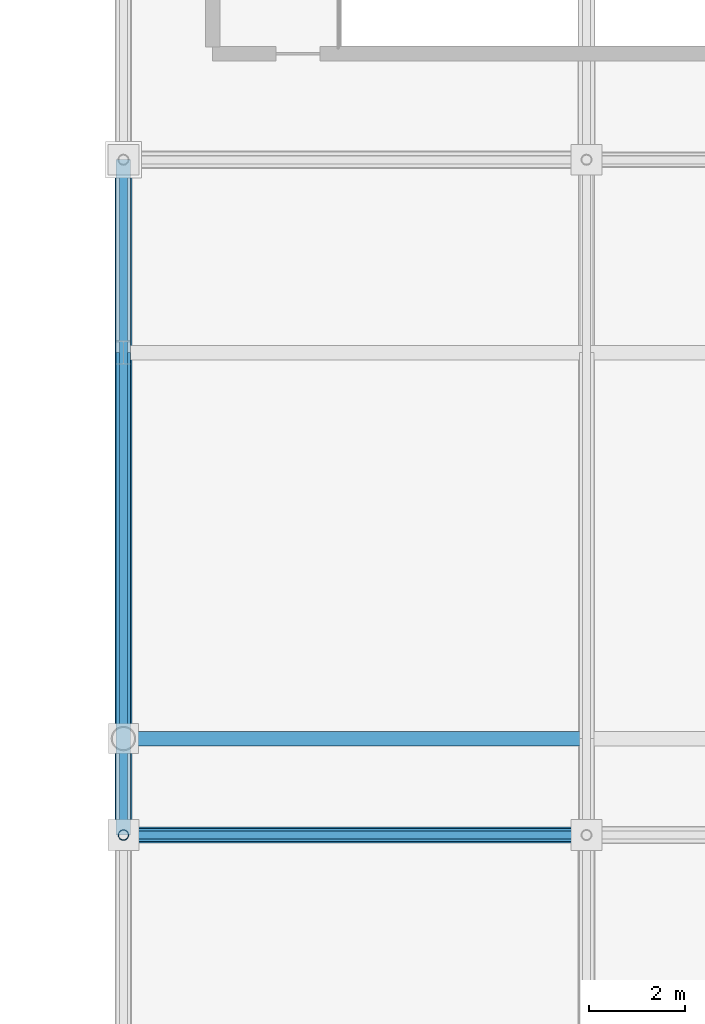
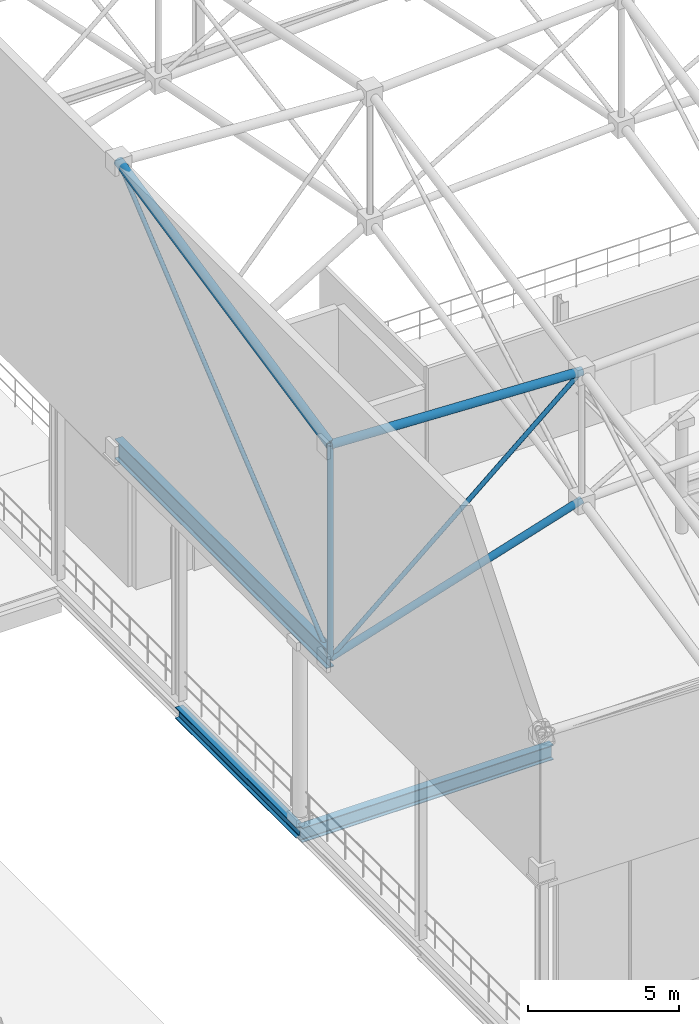
# One storey, part 100 of 193: 6 members, 3 beams.
"""IFC4 building model written with IfcOpenShell, lengths in metres."""

from ifc_helpers import new_model, si_unit, direction, frame, origin, origin_2d, place, context, subcontext, project, spatial, hollow_circle, i_section, extrude, material, material_profile, profile_set, type_object, element, save


model = new_model("IFC4")

# Units and contexts
model_context = context("Model", 3, precision=1e-05, world=origin(), true_north=direction((0.0, 1.0)))
body_context = subcontext(model_context, "Body", "Model", "MODEL_VIEW")
ifc_project = project(units=[si_unit("LENGTHUNIT", "METRE"), si_unit("AREAUNIT", "SQUARE_METRE"), si_unit("VOLUMEUNIT", "CUBIC_METRE"), si_unit("PLANEANGLEUNIT", "RADIAN"), si_unit("MASSUNIT", "GRAM", prefix="KILO")], contexts=[model_context])

# Site, building, storey
site_placement = place(None, origin())
site = spatial("IfcSite", under=ifc_project, at=site_placement, CompositionType="ELEMENT")
building_placement = place(site_placement, origin())
building = spatial("IfcBuilding", under=site, at=building_placement, Name="Danafjord Basin Convention Centre", CompositionType="ELEMENT")
storey_placement = place(building_placement, frame((0.0, 0.0, 11.39990234375)))
storey = spatial("IfcBuildingStorey", under=building, at=storey_placement, Name="L02", CompositionType="ELEMENT", Elevation=11.39990234375)

# Beams
ifc_material = material(Name="Steel S355", Category="steel")
ifc_material_profile_1 = material_profile(ifc_material, i_section(OverallWidth=0.300048828125, OverallDepth=0.590087890625, WebThickness=0.012939453125, FlangeThickness=0.02490234375, FilletRadius=0.027099609375, at=origin_2d()), Name="HEA 600")
ifc_profile_set_1 = profile_set([ifc_material_profile_1], Name="Steel S355")
beam_type_1 = type_object("IfcBeamType", Name="BEAM-BM-HEA600", PredefinedType="BEAM", material=ifc_profile_set_1)
beam_1_placement = place(storey_placement, frame((134.39990234375, 104.0, -0.65478515625), z_axis=(1.0, 0.0, 0.0), x_axis=(0.0, 1.0, 0.0)))
element("IfcBeam", 1, at=beam_1_placement, inside=storey, type_object=beam_type_1, Name="L02 girder BM-HEA600", PredefinedType="BEAM", context=body_context, shape_type="SweptSolid", body=[
    extrude(i_section(OverallWidth=0.300048828125, OverallDepth=0.590087890625, WebThickness=0.012939453125, FlangeThickness=0.02490234375, FilletRadius=0.027099609375, at=origin_2d()), origin(), (0.0, 0.0, 1.0), 9.60009765625),
])
ifc_material_profile_2 = material_profile(ifc_material, i_section(OverallWidth=0.300048828125, OverallDepth=0.800048828125, WebThickness=0.017578125, FlangeThickness=0.032958984375, FilletRadius=0.030029296875, at=origin_2d()), Name="HEB 800")
ifc_profile_set_2 = profile_set([ifc_material_profile_2], Name="Steel S355")
beam_type_2 = type_object("IfcBeamType", Name="BEAM-BM-HEB800", PredefinedType="BEAM", material=ifc_profile_set_2)
beam_2_placement = place(storey_placement, frame((134.39990234375, 102.0, 7.650146484375), z_axis=(0.0, 1.0, 0.0), x_axis=(-1.0, 0.0, 0.0)))
element("IfcBeam", 2, at=beam_2_placement, inside=storey, type_object=beam_type_2, Name="V2 space-frame perimeter ring girder", PredefinedType="BEAM", context=body_context, shape_type="SweptSolid", body=[
    extrude(i_section(OverallWidth=0.300048828125, OverallDepth=0.800048828125, WebThickness=0.017578125, FlangeThickness=0.032958984375, FilletRadius=0.030029296875, at=origin_2d()), origin(), (0.0, 0.0, 1.0), 14.0),
])
ifc_material_profile_3 = material_profile(ifc_material, i_section(OverallWidth=0.300048828125, OverallDepth=0.449951171875, WebThickness=0.013916015625, FlangeThickness=0.02587890625, FilletRadius=0.027099609375, at=origin_2d()), Name="HEB 450")
ifc_profile_set_3 = profile_set([ifc_material_profile_3], Name="Steel S355")
beam_type_3 = type_object("IfcBeamType", Name="BEAM-SP-HEB450", PredefinedType="SPANDREL", material=ifc_profile_set_3)
beam_3_placement = place(storey_placement, frame((134.39990234375, 104.0, -0.5849609375), z_axis=(0.0, 1.0, 0.0), x_axis=(-1.0, 0.0, 0.0)))
element("IfcBeam", 3, at=beam_3_placement, inside=storey, type_object=beam_type_3, Name="L02 transverse girder SP-HEB450", PredefinedType="SPANDREL", context=body_context, shape_type="SweptSolid", body=[
    extrude(i_section(OverallWidth=0.300048828125, OverallDepth=0.449951171875, WebThickness=0.013916015625, FlangeThickness=0.02587890625, FilletRadius=0.027099609375, at=origin_2d()), origin(), (0.0, 0.0, 1.0), 8.0),
])

# Members
ifc_material_profile_4 = material_profile(ifc_material, hollow_circle(Radius=0.136474609375, WallThickness=0.012451171875, at=origin_2d()), Name="CHS 273.0x12.5")
ifc_profile_set_4 = profile_set([ifc_material_profile_4], Name="Steel S355")
member_type_1 = type_object("IfcMemberType", Name="MEM-CH-CHS273", PredefinedType="CHORD", material=ifc_profile_set_4)
member_1_placement = place(storey_placement, frame((134.39990234375, 102.0, 7.650146484375), z_axis=(0.954030787583, 0.0, 0.299708619069), x_axis=(0.0, 1.0, 0.0)))
element("IfcMember", 4, at=member_1_placement, inside=storey, type_object=member_type_1, Name="V2 roof truss longitudinal bottom chord", PredefinedType="CHORD", context=body_context, shape_type="SweptSolid", body=[
    extrude(hollow_circle(Radius=0.136474609375, WallThickness=0.012451171875, at=origin_2d()), origin(), (0.0, 0.0, 1.0), 10.062744140625),
])
ifc_material_profile_5 = material_profile(ifc_material, hollow_circle(Radius=0.161865234375, WallThickness=0.01611328125, at=origin_2d()), Name="CHS 323.9x16.0")
ifc_profile_set_5 = profile_set([ifc_material_profile_5], Name="Steel S355")
member_type_2 = type_object("IfcMemberType", Name="MEM-CH-CHS324", PredefinedType="CHORD", material=ifc_profile_set_5)
member_2_placement = place(storey_placement, frame((134.39990234375, 102.0, 16.259765625), z_axis=(0.999160768255, 0.0, -0.040960458736), x_axis=(0.0, 1.0, 0.0)))
element("IfcMember", 5, at=member_2_placement, inside=storey, type_object=member_type_2, Name="V2 roof truss longitudinal top chord", PredefinedType="CHORD", context=body_context, shape_type="SweptSolid", body=[
    extrude(hollow_circle(Radius=0.161865234375, WallThickness=0.01611328125, at=origin_2d()), origin(), (0.0, 0.0, 1.0), 9.608154296875),
])
ifc_material_profile_6 = material_profile(ifc_material, hollow_circle(Radius=0.177734375, WallThickness=0.01611328125, at=origin_2d()), Name="CHS 355.6x16.0")
ifc_profile_set_6 = profile_set([ifc_material_profile_6], Name="Steel S355")
member_type_3 = type_object("IfcMemberType", Name="MEM-CH-CHS355", PredefinedType="CHORD", material=ifc_profile_set_6)
member_3_placement = place(storey_placement, frame((134.39990234375, 102.0, 16.259765625), z_axis=(0.0, 0.978472048473, 0.206379384526), x_axis=(-1.0, 0.0, 0.0)))
element("IfcMember", 6, at=member_3_placement, inside=storey, type_object=member_type_3, Name="V2 roof truss transverse top chord", PredefinedType="CHORD", context=body_context, shape_type="SweptSolid", body=[
    extrude(hollow_circle(Radius=0.177734375, WallThickness=0.01611328125, at=origin_2d()), origin(), (0.0, 0.0, 1.0), 14.30810546875),
])
ifc_material_profile_7 = material_profile(ifc_material, hollow_circle(Radius=0.109619140625, WallThickness=0.010009765625, at=origin_2d()), Name="CHS 219.1x10.0")
ifc_profile_set_7 = profile_set([ifc_material_profile_7], Name="Steel S355")
member_type_4 = type_object("IfcMemberType", Name="MEM-ST-CHS219", PredefinedType="STRUT", material=ifc_profile_set_7)
member_4_placement = place(storey_placement, frame((134.39990234375, 102.0, 7.650146484375), z_axis=(0.0, 0.0, 1.0), x_axis=(1.0, 0.0, 0.0)))
element("IfcMember", 7, at=member_4_placement, inside=storey, type_object=member_type_4, Name="V2 roof truss vertical strut", PredefinedType="STRUT", context=body_context, shape_type="SweptSolid", body=[
    extrude(hollow_circle(Radius=0.109619140625, WallThickness=0.010009765625, at=origin_2d()), origin(), (0.0, 0.0, 1.0), 8.609619140625),
])
ifc_material_profile_8 = material_profile(ifc_material, hollow_circle(Radius=0.084228515625, WallThickness=0.008056640625, at=origin_2d()), Name="CHS 168.3x8.0")
ifc_profile_set_8 = profile_set([ifc_material_profile_8], Name="Steel S355")
member_type_5 = type_object("IfcMemberType", Name="MEM-WB-CHS168", PredefinedType="MEMBER", material=ifc_profile_set_8)
member_5_placement = place(storey_placement, frame((134.39990234375, 102.0, 7.650146484375), z_axis=(0.759748735051, 0.0, 0.650216778919), x_axis=(0.0, 1.0, 0.0)))
element("IfcMember", 8, at=member_5_placement, inside=storey, type_object=member_type_5, Name="V2 space-frame longitudinal web", PredefinedType="MEMBER", context=body_context, shape_type="SweptSolid", body=[
    extrude(hollow_circle(Radius=0.084228515625, WallThickness=0.008056640625, at=origin_2d()), origin(), (0.0, 0.0, 1.0), 12.635986328125),
])
member_6_placement = place(storey_placement, frame((134.39990234375, 102.0, 7.650146484375), z_axis=(0.0, 0.771035229989, 0.636792489054), x_axis=(-1.0, 0.0, 0.0)))
element("IfcMember", 9, at=member_6_placement, inside=storey, type_object=member_type_5, Name="V2 space-frame transverse web", PredefinedType="MEMBER", context=body_context, shape_type="SweptSolid", body=[
    extrude(hollow_circle(Radius=0.084228515625, WallThickness=0.008056640625, at=origin_2d()), origin(), (0.0, 0.0, 1.0), 18.157470703125),
])

save(model, "model.ifc")
